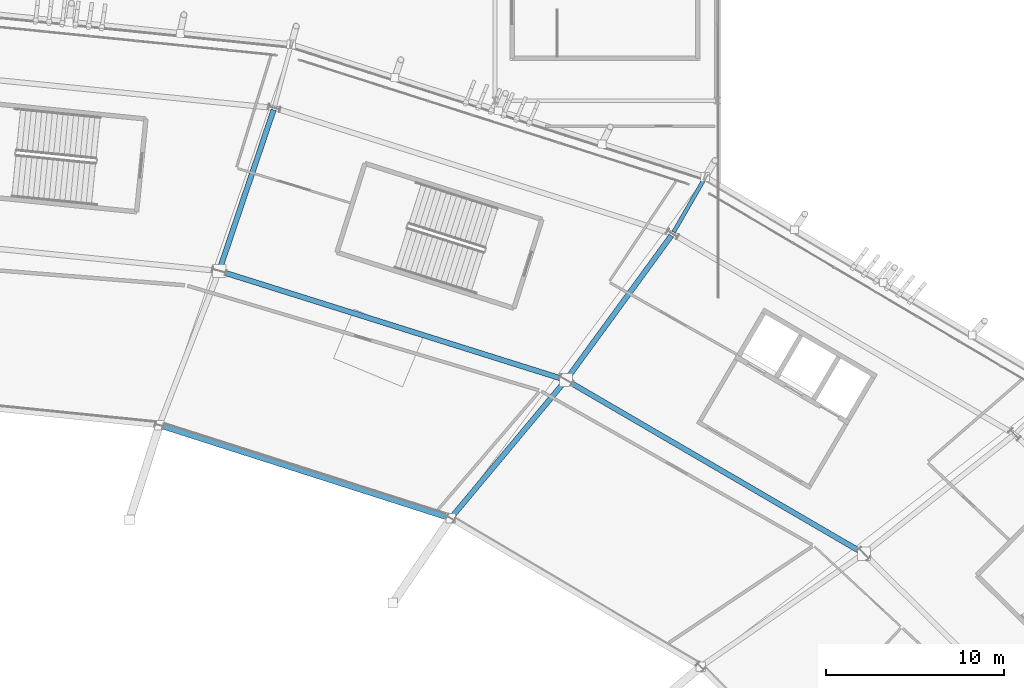
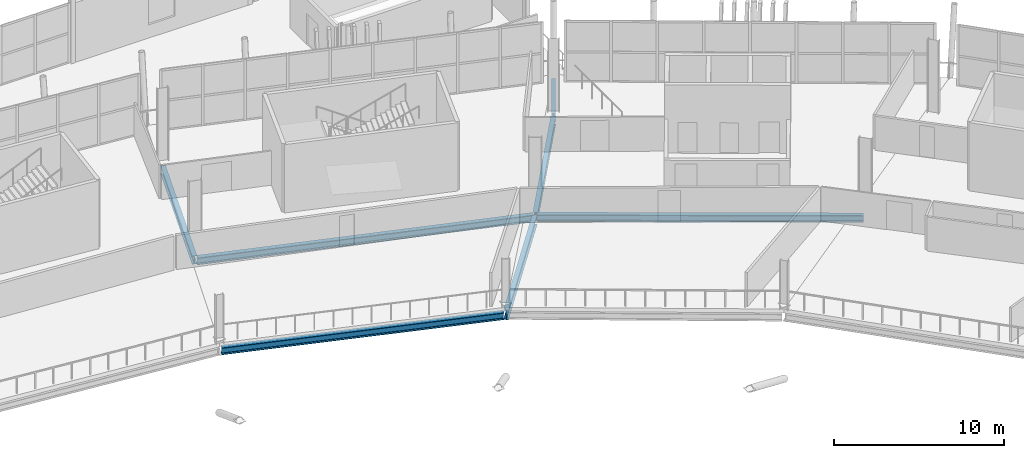
# One storey, part 75 of 168: 7 beams.
"""IFC4 building model written with IfcOpenShell, lengths in metres."""

from ifc_helpers import new_model, si_unit, direction, frame, origin, origin_2d, place, context, subcontext, project, spatial, i_section, extrude, material, material_profile, profile_set, type_object, element, save


model = new_model("IFC4")

# Units and contexts
model_context = context("Model", 3, precision=1e-05, world=origin(), true_north=direction((0.0, 1.0)))
body_context = subcontext(model_context, "Body", "Model", "MODEL_VIEW")
ifc_project = project(units=[si_unit("LENGTHUNIT", "METRE"), si_unit("AREAUNIT", "SQUARE_METRE"), si_unit("VOLUMEUNIT", "CUBIC_METRE"), si_unit("PLANEANGLEUNIT", "RADIAN"), si_unit("MASSUNIT", "GRAM", prefix="KILO")], contexts=[model_context])

# Site, building, storey
site_placement = place(None, origin())
site = spatial("IfcSite", under=ifc_project, at=site_placement, CompositionType="ELEMENT")
building_placement = place(site_placement, origin())
building = spatial("IfcBuilding", under=site, at=building_placement, Name="Zlatoyarsky Gate Stadium", CompositionType="ELEMENT")
storey_placement = place(building_placement, frame((0.0, 0.0, 15.60009765625)))
storey = spatial("IfcBuildingStorey", under=building, at=storey_placement, Name="L03", CompositionType="ELEMENT", Elevation=15.60009765625)

# Beams
ifc_material = material(Name="Steel S355", Category="steel")
ifc_material_profile_1 = material_profile(ifc_material, i_section(OverallWidth=0.219970703125, OverallDepth=0.60009765625, WebThickness=0.011962890625, FlangeThickness=0.01904296875, FilletRadius=0.02392578125, at=origin_2d()), Name="IPE 600")
ifc_profile_set_1 = profile_set([ifc_material_profile_1], Name="Steel S355")
beam_type_1 = type_object("IfcBeamType", Name="STEEL CANTILEVER FLOOR BEAM IPE 600", PredefinedType="BEAM", material=ifc_profile_set_1)
beam_1_placement = place(storey_placement, frame((157.56005859375, 141.591796875, -0.580078125), z_axis=(0.499980071345, 0.866036909293, 0.0), x_axis=(-0.866036909293, 0.499980071345, 0.0)))
element("IfcBeam", 1, at=beam_1_placement, inside=storey, type_object=beam_type_1, Name="Beam B-IPE600 BM-L03-OUT-04", PredefinedType="BEAM", context=body_context, shape_type="SweptSolid", body=[
    extrude(i_section(OverallWidth=0.219970703125, OverallDepth=0.60009765625, WebThickness=0.011962890625, FlangeThickness=0.01904296875, FilletRadius=0.02392578125, at=origin_2d()), origin(), (0.0, 0.0, 1.0), 3.582275390625),
])
ifc_material_profile_2 = material_profile(ifc_material, i_section(OverallWidth=0.300048828125, OverallDepth=0.5, WebThickness=0.014404296875, FlangeThickness=0.028076171875, FilletRadius=0.027099609375, at=origin_2d()), Name="HEB 500")
ifc_profile_set_2 = profile_set([ifc_material_profile_2], Name="Steel S355")
beam_type_2 = type_object("IfcBeamType", Name="STEEL PRIMARY GIRDER HEB 500", PredefinedType="BEAM", material=ifc_profile_set_2)
beam_2_placement = place(storey_placement, frame((168.171875, 123.547607421875, -0.530029296875), z_axis=(-0.864054462945, 0.503398336375, 0.0), x_axis=(-0.503398336375, -0.864054462945, 0.0)))
element("IfcBeam", 2, at=beam_2_placement, inside=storey, type_object=beam_type_2, Name="Beam G-HEB500 BM-L03-CRB-03", PredefinedType="BEAM", context=body_context, shape_type="SweptSolid", body=[
    extrude(i_section(OverallWidth=0.300048828125, OverallDepth=0.5, WebThickness=0.014404296875, FlangeThickness=0.028076171875, FilletRadius=0.027099609375, at=origin_2d()), origin(), (0.0, 0.0, 1.0), 19.1748046875),
])
beam_3_placement = place(storey_placement, frame((144.8857421875, 125.5029296875, -0.530029296875), z_axis=(-0.952480396568, 0.304599891914, 0.0), x_axis=(-0.304599891914, -0.952480396568, 0.0)))
element("IfcBeam", 3, at=beam_3_placement, inside=storey, type_object=beam_type_2, Name="Beam G-HEB500 BM-L03-CRA-04", PredefinedType="BEAM", context=body_context, shape_type="SweptSolid", body=[
    extrude(i_section(OverallWidth=0.300048828125, OverallDepth=0.5, WebThickness=0.014404296875, FlangeThickness=0.028076171875, FilletRadius=0.027099609375, at=origin_2d()), origin(), (0.0, 0.0, 1.0), 16.978515625),
])
beam_4_placement = place(storey_placement, frame((151.385498046875, 133.296630859375, -0.530029296875), z_axis=(-0.953937507984, 0.300005384719, 0.0), x_axis=(-0.300005384719, -0.953937507984, 0.0)))
element("IfcBeam", 4, at=beam_4_placement, inside=storey, type_object=beam_type_2, Name="Beam G-HEB500 BM-L03-CRB-04", PredefinedType="BEAM", context=body_context, shape_type="SweptSolid", body=[
    extrude(i_section(OverallWidth=0.300048828125, OverallDepth=0.5, WebThickness=0.014404296875, FlangeThickness=0.028076171875, FilletRadius=0.027099609375, at=origin_2d()), origin(), (0.0, 0.0, 1.0), 20.239013671875),
])
ifc_material_profile_3 = material_profile(ifc_material, i_section(OverallWidth=0.300048828125, OverallDepth=0.60009765625, WebThickness=0.015380859375, FlangeThickness=0.030029296875, FilletRadius=0.027099609375, at=origin_2d()), Name="HEB 600")
ifc_profile_set_3 = profile_set([ifc_material_profile_3], Name="Steel S355")
beam_type_3 = type_object("IfcBeamType", Name="STEEL PRIMARY GIRDER HEB 600", PredefinedType="BEAM", material=ifc_profile_set_3)
beam_5_placement = place(storey_placement, frame((151.57080078125, 133.357666015625, -0.580078125), z_axis=(0.589228266457, 0.807966614415, 0.0), x_axis=(-0.807966614415, 0.589228266457, 0.0)))
element("IfcBeam", 5, at=beam_5_placement, inside=storey, type_object=beam_type_3, Name="Beam G-HEB600 BM-L03-RBC-04", PredefinedType="BEAM", context=body_context, shape_type="SweptSolid", body=[
    extrude(i_section(OverallWidth=0.300048828125, OverallDepth=0.60009765625, WebThickness=0.015380859375, FlangeThickness=0.030029296875, FilletRadius=0.027099609375, at=origin_2d()), origin(), (0.0, 0.0, 1.0), 9.9423828125),
])
beam_6_placement = place(storey_placement, frame((132.002685546875, 139.51806640625, -0.580078125), z_axis=(0.320612225581, 0.947210536686, 0.0), x_axis=(-0.947210536686, 0.320612225581, 0.0)))
element("IfcBeam", 6, at=beam_6_placement, inside=storey, type_object=beam_type_3, Name="Beam G-HEB600 BM-L03-RBC-05", PredefinedType="BEAM", context=body_context, shape_type="SweptSolid", body=[
    extrude(i_section(OverallWidth=0.300048828125, OverallDepth=0.60009765625, WebThickness=0.015380859375, FlangeThickness=0.030029296875, FilletRadius=0.027099609375, at=origin_2d()), origin(), (0.0, 0.0, 1.0), 9.44775390625),
])
ifc_material_profile_4 = material_profile(ifc_material, i_section(OverallWidth=0.300048828125, OverallDepth=0.699951171875, WebThickness=0.01708984375, FlangeThickness=0.031982421875, FilletRadius=0.027099609375, at=origin_2d()), Name="HEB 700")
ifc_profile_set_4 = profile_set([ifc_material_profile_4], Name="Steel S355")
beam_type_4 = type_object("IfcBeamType", Name="STEEL PRIMARY GIRDER HEB 700", PredefinedType="BEAM", material=ifc_profile_set_4)
beam_7_placement = place(storey_placement, frame((145.076904296875, 125.55859375, -0.630126953125), z_axis=(0.640460635814, 0.767990998627, 0.0), x_axis=(-0.767990998627, 0.640460635814, 0.0)))
element("IfcBeam", 7, at=beam_7_placement, inside=storey, type_object=beam_type_4, Name="Beam G-HEB700 BM-L03-RAB-04", PredefinedType="BEAM", context=body_context, shape_type="SweptSolid", body=[
    extrude(i_section(OverallWidth=0.300048828125, OverallDepth=0.699951171875, WebThickness=0.01708984375, FlangeThickness=0.031982421875, FilletRadius=0.027099609375, at=origin_2d()), origin(), (0.0, 0.0, 1.0), 9.90869140625),
])

save(model, "model.ifc")
